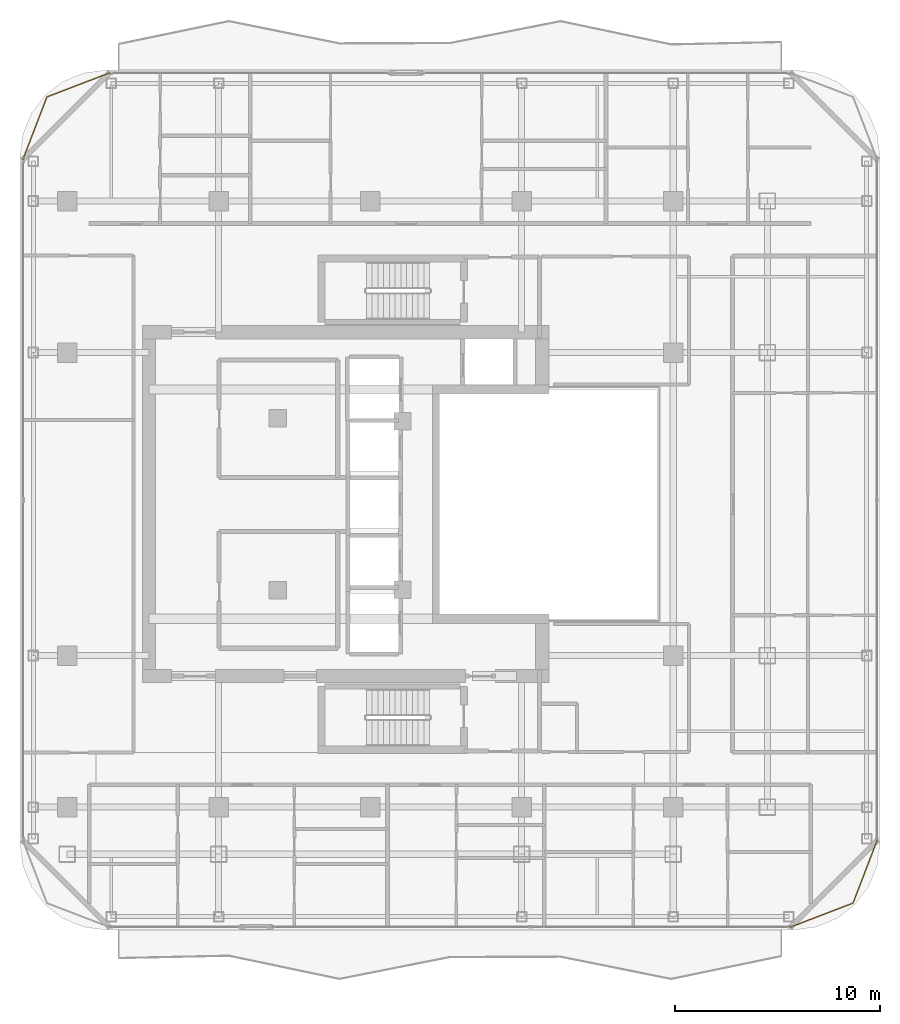
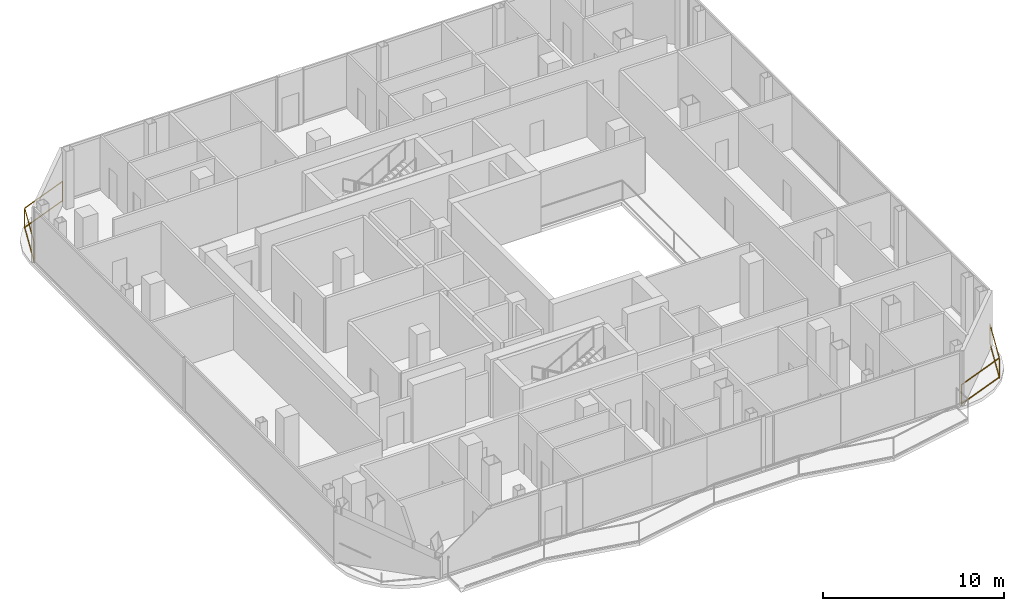
# One storey, part 22 of 23: 2 railings.
"""IFC4 building model written with IfcOpenShell, lengths in metres."""

from ifc_helpers import new_model, si_unit, direction, frame, origin, origin_2d, place, context, subcontext, project, spatial, rectangle, extrude, material, type_object, element, save


model = new_model("IFC4")

# Units and contexts
model_context = context("Model", 3, precision=1e-05, world=origin(), true_north=direction((0.0, 1.0)))
body_context = subcontext(model_context, "Body", "Model", "MODEL_VIEW")
ifc_project = project(units=[si_unit("LENGTHUNIT", "METRE"), si_unit("AREAUNIT", "SQUARE_METRE"), si_unit("VOLUMEUNIT", "CUBIC_METRE"), si_unit("PLANEANGLEUNIT", "RADIAN"), si_unit("MASSUNIT", "GRAM", prefix="KILO")], contexts=[model_context])

# Site, building, storey
site_placement = place(None, origin())
site = spatial("IfcSite", under=ifc_project, at=site_placement, CompositionType="ELEMENT")
building_placement = place(site_placement, origin())
building = spatial("IfcBuilding", under=site, at=building_placement, Name="Khorvyn Point Tower", CompositionType="ELEMENT")
storey_placement = place(building_placement, frame((0.0, 0.0, 274.199951171875)))
storey = spatial("IfcBuildingStorey", under=building, at=storey_placement, Name="L67", CompositionType="ELEMENT", Elevation=274.199951171875)

# Railings
ifc_material = material(Name="Anodised aluminium 6063-T6 and laminated safety glass", Category="aluminium")
railing_type = type_object("IfcRailingType", Name="Laminated Glass and Aluminium Balcony Guardrail 1400", PredefinedType="BALUSTRADE", material=ifc_material)
railing_1_placement = place(storey_placement, frame((-12.6865234375, 21.074462890625, 0.0)))
element("IfcRailing", 1, at=railing_1_placement, inside=storey, type_object=railing_type, Name="L67 Rounded Corner Edge Guardrail NW", PredefinedType="BALUSTRADE", context=body_context, shape_type="SweptSolid", body=[
    extrude(rectangle(XDim=0.048095703125, YDim=0.048095703125, at=origin_2d()), frame((0.0, 0.0, 1.3759765625), z_axis=(-0.93357103624, -0.358392411044, 0.0), x_axis=(0.358392411044, -0.93357103624, 0.0)), (0.0, 0.0, 1.0), 3.31884765625),
    extrude(rectangle(XDim=0.048095703125, YDim=0.048095703125, at=origin_2d()), frame((0.0, 0.0, 0.080078125), z_axis=(-0.93357103624, -0.358392411044, 0.0), x_axis=(0.358392411044, -0.93357103624, 0.0)), (0.0, 0.0, 1.0), 3.31884765625),
    extrude(rectangle(XDim=0.048095703125, YDim=0.048095703125, at=origin_2d()), frame((-3.098388671875, -1.189453125, 1.3759765625), z_axis=(-0.358392411044, -0.93357103624, 0.0), x_axis=(0.93357103624, -0.358392411044, 0.0)), (0.0, 0.0, 1.0), 3.31884765625),
    extrude(rectangle(XDim=0.048095703125, YDim=0.048095703125, at=origin_2d()), frame((-3.098388671875, -1.189453125, 0.080078125), z_axis=(-0.358392411044, -0.93357103624, 0.0), x_axis=(0.93357103624, -0.358392411044, 0.0)), (0.0, 0.0, 1.0), 3.31884765625),
    extrude(rectangle(XDim=0.0419921875, YDim=0.0419921875, at=origin_2d()), origin(), (0.0, 0.0, 1.0), 1.351806640625),
    extrude(rectangle(XDim=0.0419921875, YDim=0.0419921875, at=origin_2d()), frame((-3.098388671875, -1.189453125, 0.0)), (0.0, 0.0, 1.0), 1.351806640625),
    extrude(rectangle(XDim=0.0419921875, YDim=0.0419921875, at=origin_2d()), frame((-4.287841796875, -4.287841796875, 0.0)), (0.0, 0.0, 1.0), 1.351806640625),
])
railing_2_placement = place(storey_placement, frame((20.486572265625, -20.67431640625, 0.0)))
element("IfcRailing", 2, at=railing_2_placement, inside=storey, type_object=railing_type, Name="L67 Rounded Corner Edge Guardrail SE", PredefinedType="BALUSTRADE", context=body_context, shape_type="SweptSolid", body=[
    extrude(rectangle(XDim=0.048095703125, YDim=0.048095703125, at=origin_2d()), frame((0.0, 0.0, 1.3759765625), z_axis=(0.933595647299, 0.358328295484, 0.0), x_axis=(-0.358328295484, 0.933595647299, 0.0)), (0.0, 0.0, 1.0), 3.31884765625),
    extrude(rectangle(XDim=0.048095703125, YDim=0.048095703125, at=origin_2d()), frame((0.0, 0.0, 0.080078125), z_axis=(0.933595647299, 0.358328295484, 0.0), x_axis=(-0.358328295484, 0.933595647299, 0.0)), (0.0, 0.0, 1.0), 3.31884765625),
    extrude(rectangle(XDim=0.048095703125, YDim=0.048095703125, at=origin_2d()), frame((3.098388671875, 1.189208984375, 1.3759765625), z_axis=(0.358367799998, 0.933580483903, 0.0), x_axis=(-0.933580483903, 0.358367799998, 0.0)), (0.0, 0.0, 1.0), 3.319091796875),
    extrude(rectangle(XDim=0.048095703125, YDim=0.048095703125, at=origin_2d()), frame((3.098388671875, 1.189208984375, 0.080078125), z_axis=(0.358367799998, 0.933580483903, 0.0), x_axis=(-0.933580483903, 0.358367799998, 0.0)), (0.0, 0.0, 1.0), 3.319091796875),
    extrude(rectangle(XDim=0.0419921875, YDim=0.0419921875, at=origin_2d()), origin(), (0.0, 0.0, 1.0), 1.351806640625),
    extrude(rectangle(XDim=0.0419921875, YDim=0.0419921875, at=origin_2d()), frame((3.098388671875, 1.189208984375, 0.0)), (0.0, 0.0, 1.0), 1.351806640625),
    extrude(rectangle(XDim=0.0419921875, YDim=0.0419921875, at=origin_2d()), frame((4.287841796875, 4.287841796875, 0.0)), (0.0, 0.0, 1.0), 1.351806640625),
])

save(model, "model.ifc")
